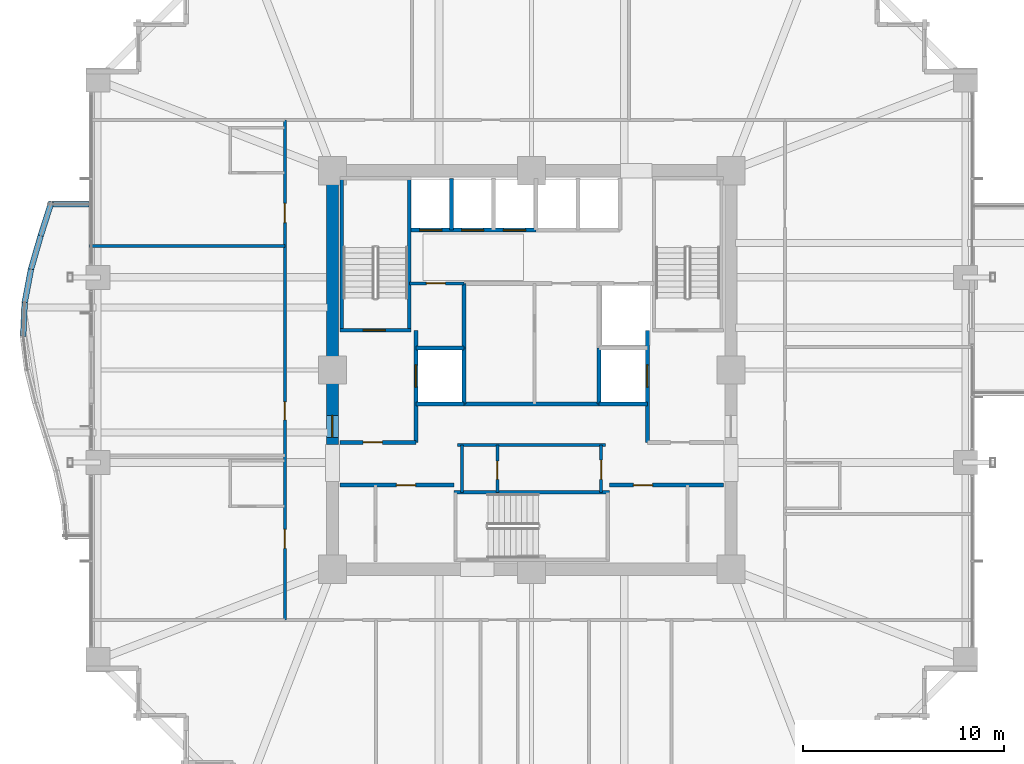
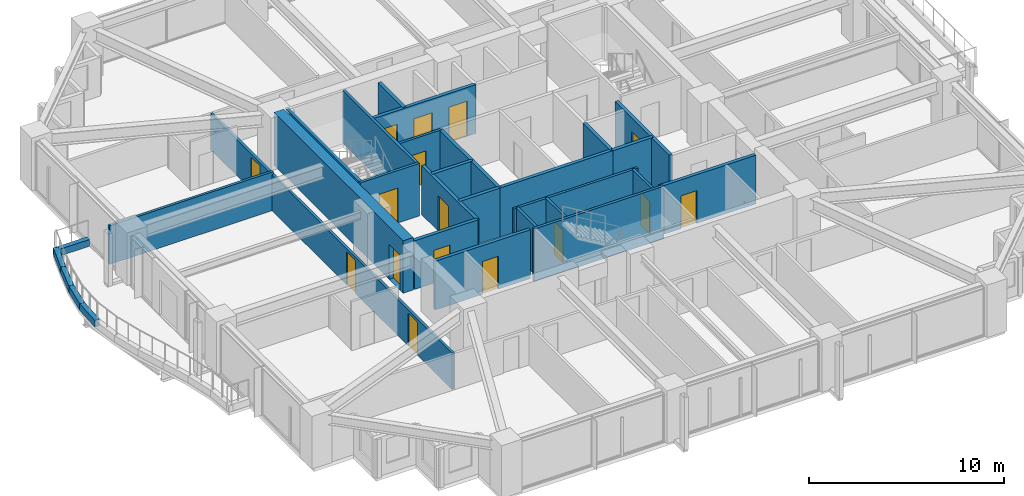
# One storey, part 33 of 38: 31 walls, 16 doors, 16 openings.
"""IFC4 building model written with IfcOpenShell, lengths in metres."""

from ifc_helpers import new_model, si_unit, direction, frame, frame_2d, origin, place, context, subcontext, project, spatial, rectangle, extrude, material, layer, layer_set, type_object, element, fill, save


model = new_model("IFC4")

# Units and contexts
model_context = context("Model", 3, precision=1e-05, world=origin(), true_north=direction((0.0, 1.0)))
body_context = subcontext(model_context, "Body", "Model", "MODEL_VIEW")
ifc_project = project(units=[si_unit("LENGTHUNIT", "METRE"), si_unit("AREAUNIT", "SQUARE_METRE"), si_unit("VOLUMEUNIT", "CUBIC_METRE"), si_unit("PLANEANGLEUNIT", "RADIAN"), si_unit("MASSUNIT", "GRAM", prefix="KILO")], contexts=[model_context])

# Site, building, storey
site_placement = place(None, origin())
site = spatial("IfcSite", under=ifc_project, at=site_placement, CompositionType="ELEMENT")
building_placement = place(site_placement, origin())
building = spatial("IfcBuilding", under=site, at=building_placement, Name="Kolvaren Belvedere", CompositionType="ELEMENT")
storey_placement = place(building_placement, frame((0.0, 0.0, 53.5)))
storey = spatial("IfcBuildingStorey", under=building, at=storey_placement, Name="L15", CompositionType="ELEMENT", Elevation=53.5)

# Wall, opening, door
ifc_material_1 = material(Name="Concrete C60/75", Category="concrete")
ifc_layer_1 = layer(ifc_material_1, 0.60009765625)
ifc_layer_set_1 = layer_set([ifc_layer_1], Name="Concrete C60/75")
wall_type_1 = type_object("IfcWallType", Name="CW-CORE-600", PredefinedType="SHEAR", material=ifc_layer_set_1)
wall_1_placement = place(storey_placement, frame((-9.89990234375, -3.699951171875, 0.0), z_axis=(0.0, 0.0, 1.0), x_axis=(0.0, 1.0, 0.0)))
wall_1 = element("IfcWall", 1, at=wall_1_placement, inside=storey, type_object=wall_type_1, Name="L15 West Core Shear Wall 2", PredefinedType="SHEAR", context=body_context, shape_type="SweptSolid", body=[
    extrude(rectangle(XDim=13.300048828125, YDim=0.60009765625, at=frame_2d((6.64990234375, 0.0))), origin(), (0.0, 0.0, 1.0), 3.300048828125),
])
opening_1_placement = place(wall_1_placement, frame((0.35009765625, 0.0, 0.0)))
opening_1 = element("IfcOpeningElement", 2, at=opening_1_placement, cuts=wall_1, Name="Opening D-FD90", PredefinedType="OPENING", context=body_context, shape_type="SweptSolid", body=[
    extrude(rectangle(XDim=1.10009765625, YDim=2.199951171875, at=frame_2d((0.550048828125, 1.10009765625))), frame((0.0, 0.31005859375, 0.0), z_axis=(0.0, -1.0, 0.0), x_axis=(1.0, 0.0, 0.0)), (0.0, 0.0, 1.0), 0.6201171875),
])
ifc_material_2 = material(Name="Painted hollow stainless steel", Category="steel")
door_type_1 = type_object("IfcDoorType", Name="DR-FD90-1100", OperationType="NOTDEFINED", PredefinedType="DOOR", material=ifc_material_2)
door_1_placement = place(opening_1_placement, origin())
door_1 = element("IfcDoor", 3, at=door_1_placement, inside=storey, type_object=door_type_1, Name="L15 West Firefighting Lobby Fire Door", OperationType="SINGLE_SWING_LEFT", OverallHeight=2.199951171875, OverallWidth=1.10009765625, PredefinedType="DOOR", context=body_context, shape_type="SweptSolid", body=[
    extrude(rectangle(XDim=1.10009765625, YDim=2.199951171875, at=frame_2d((0.550048828125, 1.10009765625))), frame((0.0, 0.02490234375, 0.0), z_axis=(0.0, -1.0, 0.0), x_axis=(1.0, 0.0, 0.0)), (0.0, 0.0, 1.0), 0.050048828125),
])
fill(opening_1, door_1)

ifc_material_3 = material(Name="Concrete C50/60", Category="concrete")
ifc_layer_2 = layer(ifc_material_3, 0.159912109375)
ifc_layer_set_2 = layer_set([ifc_layer_2], Name="Concrete C50/60")
wall_type_2 = type_object("IfcWallType", Name="CW-STAIR-160", PredefinedType="SHEAR", material=ifc_layer_set_2)
wall_2_placement = place(storey_placement, frame((-9.52001953125, 1.969970703125, 0.0), z_axis=(0.0, 0.0, 1.0), x_axis=(1.0, 0.0, 0.0)))
wall_2 = element("IfcWall", 4, at=wall_2_placement, inside=storey, type_object=wall_type_2, Name="L15 Stair ST-1 South Shear Wall", PredefinedType="SHEAR", context=body_context, shape_type="SweptSolid", body=[
    extrude(rectangle(XDim=3.52001953125, YDim=0.159912109375, at=frame_2d((1.760009765625, 0.0))), origin(), (0.0, 0.0, 1.0), 3.300048828125),
])
opening_2_placement = place(wall_2_placement, frame((1.14990234375, 0.0, 0.0)))
opening_2 = element("IfcOpeningElement", 5, at=opening_2_placement, cuts=wall_2, Name="Opening D-FD90", PredefinedType="OPENING", context=body_context, shape_type="SweptSolid", body=[
    extrude(rectangle(XDim=1.10009765625, YDim=2.199951171875, at=frame_2d((0.550048828125, 1.10009765625))), frame((0.0, 0.08984375, 0.0), z_axis=(0.0, -1.0, 0.0), x_axis=(1.0, 0.0, 0.0)), (0.0, 0.0, 1.0), 0.179931640625),
])
door_2_placement = place(opening_2_placement, origin())
door_2 = element("IfcDoor", 6, at=door_2_placement, inside=storey, type_object=door_type_1, Name="L15 Stair ST-1 Fire Door", OperationType="SINGLE_SWING_LEFT", OverallHeight=2.199951171875, OverallWidth=1.10009765625, PredefinedType="DOOR", context=body_context, shape_type="SweptSolid", body=[
    extrude(rectangle(XDim=1.10009765625, YDim=2.199951171875, at=frame_2d((0.550048828125, 1.10009765625))), frame((0.0, 0.02490234375, 0.0), z_axis=(0.0, -1.0, 0.0), x_axis=(1.0, 0.0, 0.0)), (0.0, 0.0, 1.0), 0.050048828125),
])
fill(opening_2, door_2)

# Walls
for number, where, z_axis, x_axis, name in (
    (7, (-9.429931640625, 1.969970703125, 0.0), (0.0, 0.0, 1.0), (0.0, 1.0, 0.0), "L15 Stair ST-1 West Shear Wall"),
    (8, (-6.080078125, 1.969970703125, 0.0), (0.0, 0.0, 1.0), (0.0, 1.0, 0.0), "L15 Stair ST-1 East Shear Wall"),
):
    element("IfcWall", number, at=place(storey_placement, frame(where, z_axis=z_axis, x_axis=x_axis)), inside=storey, type_object=wall_type_2, Name=name, PredefinedType="SHEAR", context=body_context, shape_type="SweptSolid", body=[
        extrude(rectangle(XDim=7.56005859375, YDim=0.159912109375, at=frame_2d((3.780029296875, 0.0))), origin(), (0.0, 0.0, 1.0), 3.300048828125),
    ])
wall_3_placement = place(storey_placement, frame((-3.860107421875, -6.080078125, 0.0), z_axis=(0.0, 0.0, 1.0), x_axis=(1.0, 0.0, 0.0)))
element("IfcWall", 9, at=wall_3_placement, inside=storey, type_object=wall_type_2, Name="L15 Stair ST-3 North Shear Wall", PredefinedType="SHEAR", context=body_context, shape_type="SweptSolid", body=[
    extrude(rectangle(XDim=7.72021484375, YDim=0.159912109375, at=frame_2d((3.860107421875, 0.0))), origin(), (0.0, 0.0, 1.0), 3.300048828125),
])

# Wall, openings, doors
ifc_material_4 = material(Name="Gypsum fire-rated partition assembly", Category="gypsum")
ifc_layer_3 = layer(ifc_material_4, 0.14990234375)
ifc_layer_set_3 = layer_set([ifc_layer_3], Name="Gypsum fire-rated partition assembly")
wall_type_3 = type_object("IfcWallType", Name="WL-CORR-150", PredefinedType="PARTITIONING", material=ifc_layer_set_3)
wall_4_placement = place(storey_placement, frame((-12.260009765625, -12.419921875, 0.0), z_axis=(0.0, 0.0, 1.0), x_axis=(0.0, 1.0, 0.0)))
wall_4 = element("IfcWall", 10, at=wall_4_placement, inside=storey, type_object=wall_type_3, Name="L15 West Corridor Wall", PredefinedType="PARTITIONING", context=body_context, shape_type="SweptSolid", body=[
    extrude(rectangle(XDim=24.83984375, YDim=0.14990234375, at=frame_2d((12.419921875, 0.0))), origin(), (0.0, 0.0, 1.0), 2.27197265625),
])
opening_3_placement = place(wall_4_placement, frame((3.550537109375, 0.0, 0.0)))
opening_3 = element("IfcOpeningElement", 11, at=opening_3_placement, cuts=wall_4, Name="Opening D-FD60", PredefinedType="OPENING", context=body_context, shape_type="SweptSolid", body=[
    extrude(rectangle(XDim=0.949951171875, YDim=2.06005859375, at=frame_2d((0.47509765625, 1.030029296875))), frame((0.0, 0.0849609375, 0.0), z_axis=(0.0, -1.0, 0.0), x_axis=(1.0, 0.0, 0.0)), (0.0, 0.0, 1.0), 0.169921875),
])
opening_4_placement = place(wall_4_placement, frame((9.93994140625, 0.0, 0.0)))
opening_4 = element("IfcOpeningElement", 12, at=opening_4_placement, cuts=wall_4, Name="Opening D-INT90", PredefinedType="OPENING", context=body_context, shape_type="SweptSolid", body=[
    extrude(rectangle(XDim=0.89990234375, YDim=2.06005859375, at=frame_2d((0.449951171875, 1.030029296875))), frame((0.0, 0.0849609375, 0.0), z_axis=(0.0, -1.0, 0.0), x_axis=(1.0, 0.0, 0.0)), (0.0, 0.0, 1.0), 0.169921875),
])
opening_5_placement = place(wall_4_placement, frame((19.7412109375, 0.0, 0.0)))
opening_5 = element("IfcOpeningElement", 13, at=opening_5_placement, cuts=wall_4, Name="Opening D-FD60", PredefinedType="OPENING", context=body_context, shape_type="SweptSolid", body=[
    extrude(rectangle(XDim=0.949951171875, YDim=2.06005859375, at=frame_2d((0.47509765625, 1.030029296875))), frame((0.0, 0.0849609375, 0.0), z_axis=(0.0, -1.0, 0.0), x_axis=(1.0, 0.0, 0.0)), (0.0, 0.0, 1.0), 0.169921875),
])
ifc_material_5 = material(Name="Acoustic white-oak fire door leaf", Category="timber")
door_type_2 = type_object("IfcDoorType", Name="DR-FD60-950", OperationType="NOTDEFINED", PredefinedType="DOOR", material=ifc_material_5)
door_3_placement = place(opening_3_placement, origin())
door_3 = element("IfcDoor", 14, at=door_3_placement, inside=storey, type_object=door_type_2, Name="L15 King Guest Room 1508 Entry Door", OperationType="SINGLE_SWING_RIGHT", OverallHeight=2.06005859375, OverallWidth=0.949951171875, PredefinedType="DOOR", context=body_context, shape_type="SweptSolid", body=[
    extrude(rectangle(XDim=0.949951171875, YDim=2.06005859375, at=frame_2d((0.47509765625, 1.030029296875))), frame((0.0, 0.02490234375, 0.0), z_axis=(0.0, -1.0, 0.0), x_axis=(1.0, 0.0, 0.0)), (0.0, 0.0, 1.0), 0.050048828125),
])
fill(opening_3, door_3)
door_4_placement = place(opening_5_placement, origin())
door_4 = element("IfcDoor", 15, at=door_4_placement, inside=storey, type_object=door_type_2, Name="L15 King Guest Room 1510 Entry Door", OperationType="SINGLE_SWING_LEFT", OverallHeight=2.06005859375, OverallWidth=0.949951171875, PredefinedType="DOOR", context=body_context, shape_type="SweptSolid", body=[
    extrude(rectangle(XDim=0.949951171875, YDim=2.06005859375, at=frame_2d((0.47509765625, 1.030029296875))), frame((0.0, 0.02490234375, 0.0), z_axis=(0.0, -1.0, 0.0), x_axis=(1.0, 0.0, 0.0)), (0.0, 0.0, 1.0), 0.050048828125),
])
fill(opening_5, door_4)
ifc_material_6 = material(Name="Stained Pacific white oak", Category="timber")
door_type_3 = type_object("IfcDoorType", Name="DR-INT-900", OperationType="NOTDEFINED", PredefinedType="DOOR", material=ifc_material_6)
door_5_placement = place(opening_4_placement, origin())
door_5 = element("IfcDoor", 16, at=door_5_placement, inside=storey, type_object=door_type_3, Name="L15 Lounge 1509 Door", OperationType="SINGLE_SWING_LEFT", OverallHeight=2.06005859375, OverallWidth=0.89990234375, PredefinedType="DOOR", context=body_context, shape_type="SweptSolid", body=[
    extrude(rectangle(XDim=0.89990234375, YDim=2.06005859375, at=frame_2d((0.449951171875, 1.030029296875))), frame((0.0, 0.02490234375, 0.0), z_axis=(0.0, -1.0, 0.0), x_axis=(1.0, 0.0, 0.0)), (0.0, 0.0, 1.0), 0.050048828125),
])
fill(opening_4, door_5)

# Wall
ifc_material_7 = material(Name="Gypsum acoustic partition assembly", Category="gypsum")
ifc_layer_4 = layer(ifc_material_7, 0.14990234375)
ifc_layer_set_4 = layer_set([ifc_layer_4], Name="Gypsum acoustic partition assembly")
wall_type_4 = type_object("IfcWallType", Name="WL-PART-150", PredefinedType="PARTITIONING", material=ifc_layer_set_4)
wall_5_placement = place(storey_placement, frame((-3.679931640625, -3.719970703125, 0.0), z_axis=(0.0, 0.0, 1.0), x_axis=(1.0, 0.0, 0.0)))
element("IfcWall", 17, at=wall_5_placement, inside=storey, type_object=wall_type_4, Name="L15 South Core Service North Wall", PredefinedType="PARTITIONING", context=body_context, shape_type="SweptSolid", body=[
    extrude(rectangle(XDim=7.35986328125, YDim=0.14990234375, at=frame_2d((3.679931640625, 0.0))), origin(), (0.0, 0.0, 1.0), 3.06005859375),
])

# Wall, opening, door
wall_6_placement = place(storey_placement, frame((3.449951171875, -6.080078125, 0.0), z_axis=(0.0, 0.0, 1.0), x_axis=(0.0, 1.0, 0.0)))
wall_6 = element("IfcWall", 18, at=wall_6_placement, inside=storey, type_object=wall_type_4, Name="L15 South Core Service East Wall", PredefinedType="PARTITIONING", context=body_context, shape_type="SweptSolid", body=[
    extrude(rectangle(XDim=2.360107421875, YDim=0.14990234375, at=frame_2d((1.18017578125, 0.0))), origin(), (0.0, 0.0, 1.0), 3.06005859375),
])
opening_6_placement = place(wall_6_placement, frame((0.64990234375, 0.0, 0.0)))
opening_6 = element("IfcOpeningElement", 19, at=opening_6_placement, cuts=wall_6, Name="Opening D-FD60", PredefinedType="OPENING", context=body_context, shape_type="SweptSolid", body=[
    extrude(rectangle(XDim=0.949951171875, YDim=2.06005859375, at=frame_2d((0.47509765625, 1.030029296875))), frame((0.0, 0.0849609375, 0.0), z_axis=(0.0, -1.0, 0.0), x_axis=(1.0, 0.0, 0.0)), (0.0, 0.0, 1.0), 0.169921875),
])
door_6_placement = place(opening_6_placement, origin())
door_6 = element("IfcDoor", 20, at=door_6_placement, inside=storey, type_object=door_type_2, Name="L15 Core Service Room Door", OperationType="SINGLE_SWING_LEFT", OverallHeight=2.06005859375, OverallWidth=0.949951171875, PredefinedType="DOOR", context=body_context, shape_type="SweptSolid", body=[
    extrude(rectangle(XDim=0.949951171875, YDim=2.06005859375, at=frame_2d((0.47509765625, 1.030029296875))), frame((0.0, 0.02490234375, 0.0), z_axis=(0.0, -1.0, 0.0), x_axis=(1.0, 0.0, 0.0)), (0.0, 0.0, 1.0), 0.050048828125),
])
fill(opening_6, door_6)

# Wall
wall_7_placement = place(storey_placement, frame((-3.449951171875, -6.080078125, 0.0), z_axis=(0.0, 0.0, 1.0), x_axis=(0.0, 1.0, 0.0)))
element("IfcWall", 21, at=wall_7_placement, inside=storey, type_object=wall_type_4, Name="L15 South Core Service West Wall", PredefinedType="PARTITIONING", context=body_context, shape_type="SweptSolid", body=[
    extrude(rectangle(XDim=2.360107421875, YDim=0.14990234375, at=frame_2d((1.18017578125, 0.0))), origin(), (0.0, 0.0, 1.0), 3.06005859375),
])

# Wall, opening, door
wall_8_placement = place(storey_placement, frame((-1.699951171875, -6.080078125, 0.0), z_axis=(0.0, 0.0, 1.0), x_axis=(0.0, 1.0, 0.0)))
wall_8 = element("IfcWall", 22, at=wall_8_placement, inside=storey, type_object=wall_type_4, Name="L15 Core Service Divider", PredefinedType="PARTITIONING", context=body_context, shape_type="SweptSolid", body=[
    extrude(rectangle(XDim=2.360107421875, YDim=0.14990234375, at=frame_2d((1.18017578125, 0.0))), origin(), (0.0, 0.0, 1.0), 3.06005859375),
])
opening_7_placement = place(wall_8_placement, frame((0.64990234375, 0.0, 0.0)))
opening_7 = element("IfcOpeningElement", 23, at=opening_7_placement, cuts=wall_8, Name="Opening D-INT90", PredefinedType="OPENING", context=body_context, shape_type="SweptSolid", body=[
    extrude(rectangle(XDim=0.89990234375, YDim=2.06005859375, at=frame_2d((0.449951171875, 1.030029296875))), frame((0.0, 0.0849609375, 0.0), z_axis=(0.0, -1.0, 0.0), x_axis=(1.0, 0.0, 0.0)), (0.0, 0.0, 1.0), 0.169921875),
])
door_7_placement = place(opening_7_placement, origin())
door_7 = element("IfcDoor", 24, at=door_7_placement, inside=storey, type_object=door_type_3, Name="L15 Telecom Inner Door", OperationType="SINGLE_SWING_RIGHT", OverallHeight=2.06005859375, OverallWidth=0.89990234375, PredefinedType="DOOR", context=body_context, shape_type="SweptSolid", body=[
    extrude(rectangle(XDim=0.89990234375, YDim=2.06005859375, at=frame_2d((0.449951171875, 1.030029296875))), frame((0.0, 0.02490234375, 0.0), z_axis=(0.0, -1.0, 0.0), x_axis=(1.0, 0.0, 0.0)), (0.0, 0.0, 1.0), 0.050048828125),
])
fill(opening_7, door_7)

wall_9_placement = place(storey_placement, frame((-6.080078125, 4.300048828125, 0.0), z_axis=(0.0, 0.0, 1.0), x_axis=(1.0, 0.0, 0.0)))
wall_9 = element("IfcWall", 25, at=wall_9_placement, inside=storey, type_object=wall_type_4, Name="L15 NW Service Room North Wall", PredefinedType="PARTITIONING", context=body_context, shape_type="SweptSolid", body=[
    extrude(rectangle(XDim=2.72998046875, YDim=0.14990234375, at=frame_2d((1.364990234375, 0.0))), origin(), (0.0, 0.0, 1.0), 3.06005859375),
])
opening_8_placement = place(wall_9_placement, frame((0.85009765625, 0.0, 0.0)))
opening_8 = element("IfcOpeningElement", 26, at=opening_8_placement, cuts=wall_9, Name="Opening D-FD60", PredefinedType="OPENING", context=body_context, shape_type="SweptSolid", body=[
    extrude(rectangle(XDim=0.949951171875, YDim=2.06005859375, at=frame_2d((0.47509765625, 1.030029296875))), frame((0.0, 0.0849609375, 0.0), z_axis=(0.0, -1.0, 0.0), x_axis=(1.0, 0.0, 0.0)), (0.0, 0.0, 1.0), 0.169921875),
])
door_8_placement = place(opening_8_placement, origin())
door_8 = element("IfcDoor", 27, at=door_8_placement, inside=storey, type_object=door_type_2, Name="L15 NW Core Store Door", OperationType="SINGLE_SWING_RIGHT", OverallHeight=2.06005859375, OverallWidth=0.949951171875, PredefinedType="DOOR", context=body_context, shape_type="SweptSolid", body=[
    extrude(rectangle(XDim=0.949951171875, YDim=2.06005859375, at=frame_2d((0.47509765625, 1.030029296875))), frame((0.0, 0.02490234375, 0.0), z_axis=(0.0, -1.0, 0.0), x_axis=(1.0, 0.0, 0.0)), (0.0, 0.0, 1.0), 0.050048828125),
])
fill(opening_8, door_8)

# Walls
wall_10_placement = place(storey_placement, frame((-21.97998046875, 6.156005859375, 0.0), z_axis=(0.0, 0.0, 1.0), x_axis=(1.0, 0.0, 0.0)))
element("IfcWall", 28, at=wall_10_placement, inside=storey, type_object=wall_type_4, Name="L15 West Suite Demising Wall 2", PredefinedType="PARTITIONING", context=body_context, shape_type="SweptSolid", body=[
    extrude(rectangle(XDim=9.719970703125, YDim=0.14990234375, at=frame_2d((4.85986328125, 0.0))), origin(), (0.0, 0.0, 1.0), 2.428955078125),
])
ifc_material_8 = material(Name="Precast concrete C40/50", Category="concrete")
ifc_layer_5 = layer(ifc_material_8, 0.300048828125)
ifc_layer_set_5 = layer_set([ifc_layer_5], Name="Precast concrete C40/50")
wall_type_5 = type_object("IfcWallType", Name="WL-PLANTER-300", PredefinedType="PARAPET", material=ifc_layer_set_5)
wall_11_placement = place(storey_placement, frame((-23.85400390625, 8.351318359375, -0.06005859375), z_axis=(0.0, 0.0, 1.0), x_axis=(-0.303906495014, -0.952701864325, 0.0)))
element("IfcWall", 29, at=wall_11_placement, inside=storey, type_object=wall_type_5, Name="L15 Precast Structural Planter Wall BAL-W-1", PredefinedType="PARAPET", context=body_context, shape_type="SweptSolid", body=[
    extrude(rectangle(XDim=1.763427734375, YDim=0.280029296875, at=frame_2d((0.8818359375, 0.0))), origin(), (0.0, 0.0, 1.0), 0.420166015625),
])
wall_12_placement = place(storey_placement, frame((-24.388671875, 6.675537109375, -0.06005859375), z_axis=(0.0, 0.0, 1.0), x_axis=(-0.277946215201, -0.96059663827, 0.0)))
element("IfcWall", 30, at=wall_12_placement, inside=storey, type_object=wall_type_5, Name="L15 Precast Structural Planter Wall BAL-W-2", PredefinedType="PARAPET", context=body_context, shape_type="SweptSolid", body=[
    extrude(rectangle(XDim=1.748779296875, YDim=0.280029296875, at=frame_2d((0.87451171875, 0.0))), origin(), (0.0, 0.0, 1.0), 0.420166015625),
])
wall_13_placement = place(storey_placement, frame((-24.87109375, 5.010498046875, -0.06005859375), z_axis=(0.0, 0.0, 1.0), x_axis=(-0.184788595231, -0.982778293957, 0.0)))
element("IfcWall", 31, at=wall_13_placement, inside=storey, type_object=wall_type_5, Name="L15 Precast Structural Planter Wall BAL-W-3", PredefinedType="PARAPET", context=body_context, shape_type="SweptSolid", body=[
    extrude(rectangle(XDim=1.709716796875, YDim=0.280029296875, at=frame_2d((0.85498046875, 0.0))), origin(), (0.0, 0.0, 1.0), 0.420166015625),
])
wall_14_placement = place(storey_placement, frame((-25.184326171875, 3.352783203125, -0.06005859375), z_axis=(0.0, 0.0, 1.0), x_axis=(-0.045150826395, -0.998980181423, 0.0)))
element("IfcWall", 32, at=wall_14_placement, inside=storey, type_object=wall_type_5, Name="L15 Precast Structural Planter Wall BAL-W-4", PredefinedType="PARAPET", context=body_context, shape_type="SweptSolid", body=[
    extrude(rectangle(XDim=1.681640625, YDim=0.280029296875, at=frame_2d((0.8408203125, 0.0))), origin(), (0.0, 0.0, 1.0), 0.420166015625),
])
wall_15_placement = place(storey_placement, frame((-22.0, 8.239990234375, -0.06005859375), z_axis=(0.0, 0.0, 1.0), x_axis=(-1.0, 0.0, 0.0)))
element("IfcWall", 33, at=wall_15_placement, inside=storey, type_object=wall_type_5, Name="L15 Precast Structural Planter Wall BAL-W-22", PredefinedType="PARAPET", context=body_context, shape_type="SweptSolid", body=[
    extrude(rectangle(XDim=2.00634765625, YDim=0.280029296875, at=frame_2d((1.003173828125, 0.0))), origin(), (0.0, 0.0, 1.0), 0.420166015625),
])

# Wall, opening, door
ifc_material_9 = material(Name="Concrete C50/60", Category="concrete")
ifc_layer_6 = layer(ifc_material_9, 0.199951171875)
ifc_layer_set_6 = layer_set([ifc_layer_6], Name="Concrete C50/60")
wall_type_6 = type_object("IfcWallType", Name="WL-SHAFT-200", PredefinedType="SOLIDWALL", material=ifc_layer_set_6)
wall_16_placement = place(storey_placement, frame((-9.52001953125, -3.60009765625, 0.0), z_axis=(0.0, 0.0, 1.0), x_axis=(1.0, 0.0, 0.0)))
wall_16 = element("IfcWall", 34, at=wall_16_placement, inside=storey, type_object=wall_type_6, Name="L15 West FSAE Lobby South Wall", PredefinedType="SOLIDWALL", context=body_context, shape_type="SweptSolid", body=[
    extrude(rectangle(XDim=3.77001953125, YDim=0.199951171875, at=frame_2d((1.885009765625, 0.0))), origin(), (0.0, 0.0, 1.0), 3.06005859375),
])
opening_9_placement = place(wall_16_placement, frame((1.14990234375, 0.0, 0.0)))
opening_9 = element("IfcOpeningElement", 35, at=opening_9_placement, cuts=wall_16, Name="Opening D-FD60", PredefinedType="OPENING", context=body_context, shape_type="SweptSolid", body=[
    extrude(rectangle(XDim=0.949951171875, YDim=2.06005859375, at=frame_2d((0.47509765625, 1.030029296875))), frame((0.0, 0.10986328125, 0.0), z_axis=(0.0, -1.0, 0.0), x_axis=(1.0, 0.0, 0.0)), (0.0, 0.0, 1.0), 0.219970703125),
])
door_9_placement = place(opening_9_placement, origin())
door_9 = element("IfcDoor", 36, at=door_9_placement, inside=storey, type_object=door_type_2, Name="L15 SW Lift Lobby Fire Door", OperationType="SINGLE_SWING_LEFT", OverallHeight=2.06005859375, OverallWidth=0.949951171875, PredefinedType="DOOR", context=body_context, shape_type="SweptSolid", body=[
    extrude(rectangle(XDim=0.949951171875, YDim=2.06005859375, at=frame_2d((0.47509765625, 1.030029296875))), frame((0.0, 0.02490234375, 0.0), z_axis=(0.0, -1.0, 0.0), x_axis=(1.0, 0.0, 0.0)), (0.0, 0.0, 1.0), 0.050048828125),
])
fill(opening_9, door_9)

wall_17_placement = place(storey_placement, frame((-5.75, -3.60009765625, 0.0), z_axis=(0.0, 0.0, 1.0), x_axis=(0.0, 1.0, 0.0)))
wall_17 = element("IfcWall", 37, at=wall_17_placement, inside=storey, type_object=wall_type_6, Name="L15 FSAE FS1 Landing Wall", PredefinedType="SOLIDWALL", context=body_context, shape_type="SweptSolid", body=[
    extrude(rectangle(XDim=5.570068359375, YDim=0.199951171875, at=frame_2d((2.78515625, 0.0))), origin(), (0.0, 0.0, 1.0), 3.06005859375),
])
opening_10_placement = place(wall_17_placement, frame((2.75, 0.0, 0.0)))
opening_10 = element("IfcOpeningElement", 38, at=opening_10_placement, cuts=wall_17, Name="Opening LD-11", PredefinedType="OPENING", context=body_context, shape_type="SweptSolid", body=[
    extrude(rectangle(XDim=1.10009765625, YDim=2.199951171875, at=frame_2d((0.550048828125, 1.10009765625))), frame((0.0, 0.10986328125, 0.0), z_axis=(0.0, -1.0, 0.0), x_axis=(1.0, 0.0, 0.0)), (0.0, 0.0, 1.0), 0.219970703125),
])
ifc_material_10 = material(Name="Brushed stainless steel", Category="steel")
door_type_4 = type_object("IfcDoorType", Name="DR-LIFT-1100", OperationType="DOUBLE_DOOR_SLIDING", PredefinedType="DOOR", material=ifc_material_10)
door_10_placement = place(opening_10_placement, origin())
door_10 = element("IfcDoor", 39, at=door_10_placement, inside=storey, type_object=door_type_4, Name="L15 Firefighting Lift FS1 Landing Door", OperationType="DOUBLE_DOOR_SLIDING", OverallHeight=2.199951171875, OverallWidth=1.10009765625, PredefinedType="DOOR", context=body_context, shape_type="SweptSolid", body=[
    extrude(rectangle(XDim=1.10009765625, YDim=2.199951171875, at=frame_2d((0.550048828125, 1.10009765625))), frame((0.0, 0.02490234375, 0.0), z_axis=(0.0, -1.0, 0.0), x_axis=(1.0, 0.0, 0.0)), (0.0, 0.0, 1.0), 0.050048828125),
])
fill(opening_10, door_10)

# Walls
wall_18_placement = place(storey_placement, frame((-3.35009765625, -1.699951171875, 0.0), z_axis=(0.0, 0.0, 1.0), x_axis=(0.0, 1.0, 0.0)))
element("IfcWall", 40, at=wall_18_placement, inside=storey, type_object=wall_type_6, Name="L15 FSAE FS1 Back Wall", PredefinedType="SOLIDWALL", context=body_context, shape_type="SweptSolid", body=[
    extrude(rectangle(XDim=2.800048828125, YDim=0.199951171875, at=frame_2d((1.39990234375, 0.0))), origin(), (0.0, 0.0, 1.0), 3.06005859375),
])
for number, where, z_axis, x_axis, name in (
    (41, (-5.75, -1.699951171875, 0.0), (0.0, 0.0, 1.0), (1.0, 0.0, 0.0), "L15 FSAE FS1 South Wall"),
    (42, (-5.75, 1.10009765625, 0.0), (0.0, 0.0, 1.0), (1.0, 0.0, 0.0), "L15 FSAE FS1 North Wall"),
):
    element("IfcWall", number, at=place(storey_placement, frame(where, z_axis=z_axis, x_axis=x_axis)), inside=storey, type_object=wall_type_6, Name=name, PredefinedType="SOLIDWALL", context=body_context, shape_type="SweptSolid", body=[
        extrude(rectangle(XDim=2.39990234375, YDim=0.199951171875, at=frame_2d((1.199951171875, 0.0))), origin(), (0.0, 0.0, 1.0), 3.06005859375),
    ])

# Wall, opening, door
wall_19_placement = place(storey_placement, frame((5.75, -3.60009765625, 0.0), z_axis=(0.0, 0.0, 1.0), x_axis=(0.0, 1.0, 0.0)))
wall_19 = element("IfcWall", 43, at=wall_19_placement, inside=storey, type_object=wall_type_6, Name="L15 FSAE FS2 Landing Wall", PredefinedType="SOLIDWALL", context=body_context, shape_type="SweptSolid", body=[
    extrude(rectangle(XDim=5.570068359375, YDim=0.199951171875, at=frame_2d((2.78515625, 0.0))), origin(), (0.0, 0.0, 1.0), 3.06005859375),
])
opening_11_placement = place(wall_19_placement, frame((2.75, 0.0, 0.0)))
opening_11 = element("IfcOpeningElement", 44, at=opening_11_placement, cuts=wall_19, Name="Opening LD-11", PredefinedType="OPENING", context=body_context, shape_type="SweptSolid", body=[
    extrude(rectangle(XDim=1.10009765625, YDim=2.199951171875, at=frame_2d((0.550048828125, 1.10009765625))), frame((0.0, 0.10986328125, 0.0), z_axis=(0.0, -1.0, 0.0), x_axis=(1.0, 0.0, 0.0)), (0.0, 0.0, 1.0), 0.219970703125),
])
door_11_placement = place(opening_11_placement, origin())
door_11 = element("IfcDoor", 45, at=door_11_placement, inside=storey, type_object=door_type_4, Name="L15 Firefighting Lift FS2 Landing Door", OperationType="DOUBLE_DOOR_SLIDING", OverallHeight=2.199951171875, OverallWidth=1.10009765625, PredefinedType="DOOR", context=body_context, shape_type="SweptSolid", body=[
    extrude(rectangle(XDim=1.10009765625, YDim=2.199951171875, at=frame_2d((0.550048828125, 1.10009765625))), frame((0.0, 0.02490234375, 0.0), z_axis=(0.0, -1.0, 0.0), x_axis=(1.0, 0.0, 0.0)), (0.0, 0.0, 1.0), 0.050048828125),
])
fill(opening_11, door_11)

# Walls
wall_20_placement = place(storey_placement, frame((3.35009765625, -1.699951171875, 0.0), z_axis=(0.0, 0.0, 1.0), x_axis=(0.0, 1.0, 0.0)))
element("IfcWall", 46, at=wall_20_placement, inside=storey, type_object=wall_type_6, Name="L15 FSAE FS2 Back Wall", PredefinedType="SOLIDWALL", context=body_context, shape_type="SweptSolid", body=[
    extrude(rectangle(XDim=2.800048828125, YDim=0.199951171875, at=frame_2d((1.39990234375, 0.0))), origin(), (0.0, 0.0, 1.0), 3.06005859375),
])
wall_21_placement = place(storey_placement, frame((3.35009765625, -1.699951171875, 0.0), z_axis=(0.0, 0.0, 1.0), x_axis=(1.0, 0.0, 0.0)))
element("IfcWall", 47, at=wall_21_placement, inside=storey, type_object=wall_type_6, Name="L15 FSAE FS2 South Wall", PredefinedType="SOLIDWALL", context=body_context, shape_type="SweptSolid", body=[
    extrude(rectangle(XDim=2.39990234375, YDim=0.199951171875, at=frame_2d((1.199951171875, 0.0))), origin(), (0.0, 0.0, 1.0), 3.06005859375),
])

# Wall, openings, doors
wall_22_placement = place(storey_placement, frame((-6.080078125, 6.949951171875, 0.0), z_axis=(0.0, 0.0, 1.0), x_axis=(1.0, 0.0, 0.0)))
wall_22 = element("IfcWall", 48, at=wall_22_placement, inside=storey, type_object=wall_type_6, Name="L15 Low-Rise Lift Bank Front Wall", PredefinedType="SOLIDWALL", context=body_context, shape_type="SweptSolid", body=[
    extrude(rectangle(XDim=6.300048828125, YDim=0.199951171875, at=frame_2d((3.14990234375, 0.0))), origin(), (0.0, 0.0, 1.0), 3.06005859375),
])
opening_12_placement = place(wall_22_placement, frame((0.52001953125, 0.0, 0.0)))
opening_12 = element("IfcOpeningElement", 49, at=opening_12_placement, cuts=wall_22, Name="Opening LD-11", PredefinedType="OPENING", context=body_context, shape_type="SweptSolid", body=[
    extrude(rectangle(XDim=1.10009765625, YDim=2.199951171875, at=frame_2d((0.550048828125, 1.10009765625))), frame((0.0, 0.10986328125, 0.0), z_axis=(0.0, -1.0, 0.0), x_axis=(1.0, 0.0, 0.0)), (0.0, 0.0, 1.0), 0.219970703125),
])
opening_13_placement = place(wall_22_placement, frame((2.60009765625, 0.0, 0.0)))
opening_13 = element("IfcOpeningElement", 50, at=opening_13_placement, cuts=wall_22, Name="Opening LD-11", PredefinedType="OPENING", context=body_context, shape_type="SweptSolid", body=[
    extrude(rectangle(XDim=1.10009765625, YDim=2.199951171875, at=frame_2d((0.550048828125, 1.10009765625))), frame((0.0, 0.10986328125, 0.0), z_axis=(0.0, -1.0, 0.0), x_axis=(1.0, 0.0, 0.0)), (0.0, 0.0, 1.0), 0.219970703125),
])
opening_14_placement = place(wall_22_placement, frame((4.679931640625, 0.0, 0.0)))
opening_14 = element("IfcOpeningElement", 51, at=opening_14_placement, cuts=wall_22, Name="Opening LD-11", PredefinedType="OPENING", context=body_context, shape_type="SweptSolid", body=[
    extrude(rectangle(XDim=1.10009765625, YDim=2.199951171875, at=frame_2d((0.550048828125, 1.10009765625))), frame((0.0, 0.10986328125, 0.0), z_axis=(0.0, -1.0, 0.0), x_axis=(1.0, 0.0, 0.0)), (0.0, 0.0, 1.0), 0.219970703125),
])
door_12_placement = place(opening_12_placement, origin())
door_12 = element("IfcDoor", 52, at=door_12_placement, inside=storey, type_object=door_type_4, Name="L15 Passenger Lift P1 Landing Door", OperationType="DOUBLE_DOOR_SLIDING", OverallHeight=2.199951171875, OverallWidth=1.10009765625, PredefinedType="DOOR", context=body_context, shape_type="SweptSolid", body=[
    extrude(rectangle(XDim=1.10009765625, YDim=2.199951171875, at=frame_2d((0.550048828125, 1.10009765625))), frame((0.0, 0.02490234375, 0.0), z_axis=(0.0, -1.0, 0.0), x_axis=(1.0, 0.0, 0.0)), (0.0, 0.0, 1.0), 0.050048828125),
])
fill(opening_12, door_12)
door_13_placement = place(opening_13_placement, origin())
door_13 = element("IfcDoor", 53, at=door_13_placement, inside=storey, type_object=door_type_4, Name="L15 Passenger Lift P2 Landing Door", OperationType="DOUBLE_DOOR_SLIDING", OverallHeight=2.199951171875, OverallWidth=1.10009765625, PredefinedType="DOOR", context=body_context, shape_type="SweptSolid", body=[
    extrude(rectangle(XDim=1.10009765625, YDim=2.199951171875, at=frame_2d((0.550048828125, 1.10009765625))), frame((0.0, 0.02490234375, 0.0), z_axis=(0.0, -1.0, 0.0), x_axis=(1.0, 0.0, 0.0)), (0.0, 0.0, 1.0), 0.050048828125),
])
fill(opening_13, door_13)
door_14_placement = place(opening_14_placement, origin())
door_14 = element("IfcDoor", 54, at=door_14_placement, inside=storey, type_object=door_type_4, Name="L15 Passenger Lift P3 Landing Door", OperationType="DOUBLE_DOOR_SLIDING", OverallHeight=2.199951171875, OverallWidth=1.10009765625, PredefinedType="DOOR", context=body_context, shape_type="SweptSolid", body=[
    extrude(rectangle(XDim=1.10009765625, YDim=2.199951171875, at=frame_2d((0.550048828125, 1.10009765625))), frame((0.0, 0.02490234375, 0.0), z_axis=(0.0, -1.0, 0.0), x_axis=(1.0, 0.0, 0.0)), (0.0, 0.0, 1.0), 0.050048828125),
])
fill(opening_14, door_14)

# Wall
wall_23_placement = place(storey_placement, frame((-3.969970703125, 6.949951171875, 0.0), z_axis=(0.0, 0.0, 1.0), x_axis=(0.0, 1.0, 0.0)))
element("IfcWall", 55, at=wall_23_placement, inside=storey, type_object=wall_type_6, Name="L15 Low-Rise Hoistway Divider 1", PredefinedType="SOLIDWALL", context=body_context, shape_type="SweptSolid", body=[
    extrude(rectangle(XDim=2.570068359375, YDim=0.199951171875, at=frame_2d((1.28515625, 0.0))), origin(), (0.0, 0.0, 1.0), 3.06005859375),
])

# Wall, opening, door
wall_24_placement = place(storey_placement, frame((-9.52001953125, -5.719970703125, 0.0), z_axis=(0.0, 0.0, 1.0), x_axis=(1.0, 0.0, 0.0)))
wall_24 = element("IfcWall", 56, at=wall_24_placement, inside=storey, type_object=wall_type_6, Name="L15 SW Core Reserve Wall", PredefinedType="SOLIDWALL", context=body_context, shape_type="SweptSolid", body=[
    extrude(rectangle(XDim=5.659912109375, YDim=0.199951171875, at=frame_2d((2.830078125, 0.0))), origin(), (0.0, 0.0, 1.0), 3.06005859375),
])
opening_15_placement = place(wall_24_placement, frame((2.800048828125, 0.0, 0.0)))
opening_15 = element("IfcOpeningElement", 57, at=opening_15_placement, cuts=wall_24, Name="Opening D-FD60", PredefinedType="OPENING", context=body_context, shape_type="SweptSolid", body=[
    extrude(rectangle(XDim=0.949951171875, YDim=2.06005859375, at=frame_2d((0.47509765625, 1.030029296875))), frame((0.0, 0.10986328125, 0.0), z_axis=(0.0, -1.0, 0.0), x_axis=(1.0, 0.0, 0.0)), (0.0, 0.0, 1.0), 0.219970703125),
])
door_15_placement = place(opening_15_placement, origin())
door_15 = element("IfcDoor", 58, at=door_15_placement, inside=storey, type_object=door_type_2, Name="L15 SW Cellar Door", OperationType="SINGLE_SWING_LEFT", OverallHeight=2.06005859375, OverallWidth=0.949951171875, PredefinedType="DOOR", context=body_context, shape_type="SweptSolid", body=[
    extrude(rectangle(XDim=0.949951171875, YDim=2.06005859375, at=frame_2d((0.47509765625, 1.030029296875))), frame((0.0, 0.02490234375, 0.0), z_axis=(0.0, -1.0, 0.0), x_axis=(1.0, 0.0, 0.0)), (0.0, 0.0, 1.0), 0.050048828125),
])
fill(opening_15, door_15)

wall_25_placement = place(storey_placement, frame((3.860107421875, -5.719970703125, 0.0), z_axis=(0.0, 0.0, 1.0), x_axis=(1.0, 0.0, 0.0)))
wall_25 = element("IfcWall", 59, at=wall_25_placement, inside=storey, type_object=wall_type_6, Name="L15 SE Core Distribution Wall", PredefinedType="SOLIDWALL", context=body_context, shape_type="SweptSolid", body=[
    extrude(rectangle(XDim=5.659912109375, YDim=0.199951171875, at=frame_2d((2.830078125, 0.0))), origin(), (0.0, 0.0, 1.0), 3.06005859375),
])
opening_16_placement = place(wall_25_placement, frame((1.199951171875, 0.0, 0.0)))
opening_16 = element("IfcOpeningElement", 60, at=opening_16_placement, cuts=wall_25, Name="Opening D-FD60", PredefinedType="OPENING", context=body_context, shape_type="SweptSolid", body=[
    extrude(rectangle(XDim=0.949951171875, YDim=2.06005859375, at=frame_2d((0.47509765625, 1.030029296875))), frame((0.0, 0.10986328125, 0.0), z_axis=(0.0, -1.0, 0.0), x_axis=(1.0, 0.0, 0.0)), (0.0, 0.0, 1.0), 0.219970703125),
])
door_16_placement = place(opening_16_placement, origin())
door_16 = element("IfcDoor", 61, at=door_16_placement, inside=storey, type_object=door_type_2, Name="L15 SE BMS Store Door", OperationType="SINGLE_SWING_RIGHT", OverallHeight=2.06005859375, OverallWidth=0.949951171875, PredefinedType="DOOR", context=body_context, shape_type="SweptSolid", body=[
    extrude(rectangle(XDim=0.949951171875, YDim=2.06005859375, at=frame_2d((0.47509765625, 1.030029296875))), frame((0.0, 0.02490234375, 0.0), z_axis=(0.0, -1.0, 0.0), x_axis=(1.0, 0.0, 0.0)), (0.0, 0.0, 1.0), 0.050048828125),
])
fill(opening_16, door_16)

# Walls
wall_26_placement = place(storey_placement, frame((-3.35009765625, -1.699951171875, 0.0), z_axis=(0.0, 0.0, 1.0), x_axis=(1.0, 0.0, 0.0)))
element("IfcWall", 62, at=wall_26_placement, inside=storey, type_object=wall_type_6, Name="L15 Central Core Room South Wall", PredefinedType="SOLIDWALL", context=body_context, shape_type="SweptSolid", body=[
    extrude(rectangle(XDim=6.7001953125, YDim=0.199951171875, at=frame_2d((3.35009765625, 0.0))), origin(), (0.0, 0.0, 1.0), 3.06005859375),
])
wall_27_placement = place(storey_placement, frame((-3.35009765625, 1.10009765625, 0.0), z_axis=(0.0, 0.0, 1.0), x_axis=(0.0, 1.0, 0.0)))
element("IfcWall", 63, at=wall_27_placement, inside=storey, type_object=wall_type_6, Name="L15 Central Core Room West Wall", PredefinedType="SOLIDWALL", context=body_context, shape_type="SweptSolid", body=[
    extrude(rectangle(XDim=3.199951171875, YDim=0.199951171875, at=frame_2d((1.60009765625, 0.0))), origin(), (0.0, 0.0, 1.0), 3.06005859375),
])

save(model, "model.ifc")
